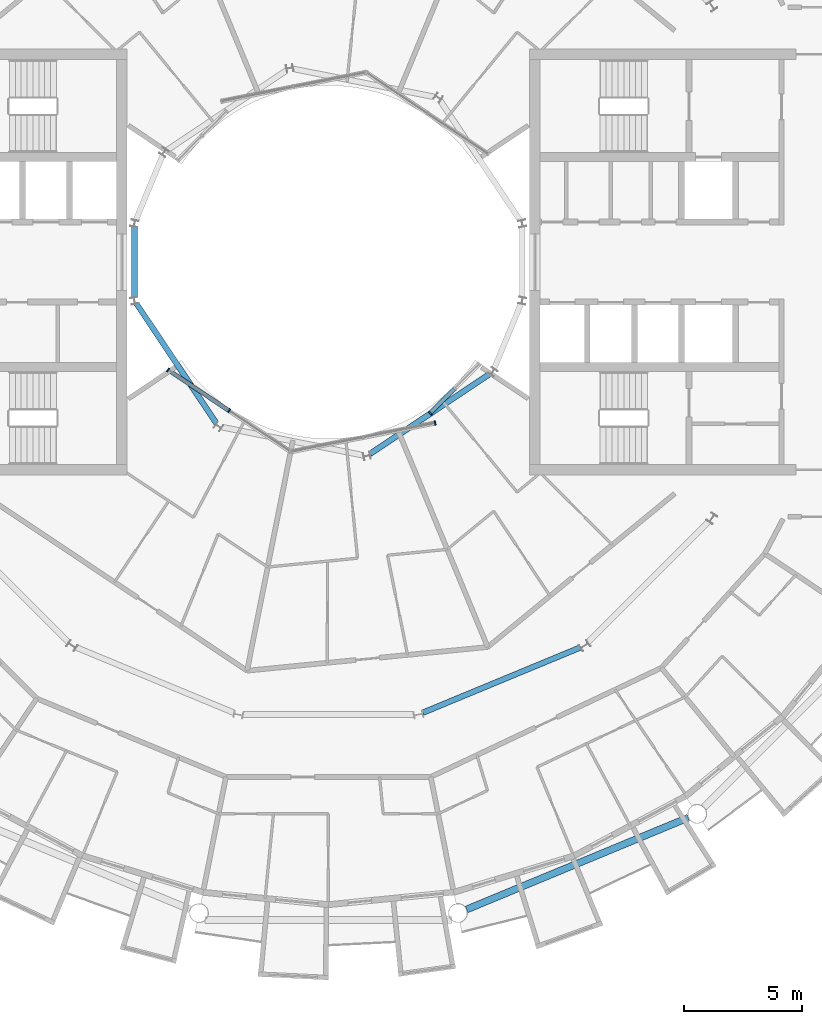
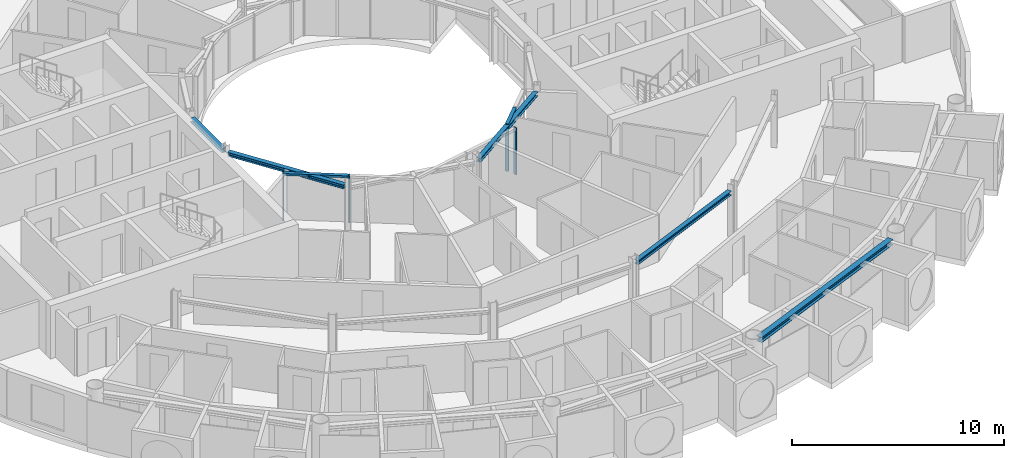
# One storey, part 7 of 29: 6 members, 5 beams, 3 elements without a shape of their own.
"""IFC4 building model written with IfcOpenShell, lengths in metres."""

from ifc_helpers import new_model, si_unit, direction, frame, origin, origin_2d, place, context, subcontext, project, spatial, rectangle, i_section, extrude, material, layer, layer_set, material_profile, profile_set, type_object, element, aggregate, save


model = new_model("IFC4")

# Units and contexts
model_context = context("Model", 3, precision=1e-05, world=origin(), true_north=direction((0.0, 1.0)))
body_context = subcontext(model_context, "Body", "Model", "MODEL_VIEW")
ifc_project = project(units=[si_unit("LENGTHUNIT", "METRE"), si_unit("AREAUNIT", "SQUARE_METRE"), si_unit("VOLUMEUNIT", "CUBIC_METRE"), si_unit("PLANEANGLEUNIT", "RADIAN"), si_unit("MASSUNIT", "GRAM", prefix="KILO")], contexts=[model_context])

# Site, building, storey
site_placement = place(None, origin())
site = spatial("IfcSite", under=ifc_project, at=site_placement, CompositionType="ELEMENT")
building_placement = place(site_placement, origin())
building = spatial("IfcBuilding", under=site, at=building_placement, Name="Maasbend Ring Residences", CompositionType="ELEMENT")
storey_placement = place(building_placement, frame((0.0, 0.0, 212.699951171875)))
storey = spatial("IfcBuildingStorey", under=building, at=storey_placement, Name="L61", CompositionType="ELEMENT", Elevation=212.699951171875)

# Curtain wall, members
ifc_material_1 = material(Name="Aluminium and clear glass", Category="aluminium")
ifc_layer = layer(ifc_material_1, 0.179931640625)
ifc_layer_set = layer_set([ifc_layer], Name="CW-W")
curtain_wall_type = type_object("IfcCurtainWallType", Name="CW-W", PredefinedType="NOTDEFINED", material=ifc_layer_set)
curtain_wall_1_placement = place(storey_placement, origin())
curtain_wall_1 = element("IfcCurtainWall", 1, at=curtain_wall_1_placement, inside=storey, type_object=curtain_wall_type, Name="Well curtain wall S1", PredefinedType="NOTDEFINED")
ifc_material_2 = material(Name="Aluminium 6063-T6", Category="aluminium")
ifc_material_profile_1 = material_profile(ifc_material_2, rectangle(XDim=0.179931640625, YDim=0.06005859375, at=origin_2d()), Name="AL 180x60")
ifc_profile_set_1 = profile_set([ifc_material_profile_1], Name="Aluminium 6063-T6")
member_type_1 = type_object("IfcMemberType", Name="CWM-W", PredefinedType="MULLION", material=ifc_profile_set_1)
member_1_placement = place(storey_placement, frame((-6.805908203125, -4.580810546875, 0.0), z_axis=(0.0, 0.0, 1.0), x_axis=(0.55557023302, 0.831469612303, 0.0)))
member_1 = element("IfcMember", 2, at=member_1_placement, type_object=member_type_1, Name="Mullion well face", PredefinedType="MULLION", context=body_context, shape_type="SweptSolid", body=[
    extrude(rectangle(XDim=0.179931640625, YDim=0.06005859375, at=origin_2d()), origin(), (0.0, 0.0, 1.0), 2.699951171875),
])
member_2_placement = place(storey_placement, frame((-4.216796875, -6.310791015625, 0.0), z_axis=(0.0, 0.0, 1.0), x_axis=(0.55557023302, 0.831469612303, 0.0)))
member_2 = element("IfcMember", 3, at=member_2_placement, type_object=member_type_1, Name="Mullion well face", PredefinedType="MULLION", context=body_context, shape_type="SweptSolid", body=[
    extrude(rectangle(XDim=0.179931640625, YDim=0.06005859375, at=origin_2d()), origin(), (0.0, 0.0, 1.0), 2.699951171875),
])

# Curtain wall, member
curtain_wall_2_placement = place(storey_placement, origin())
curtain_wall_2 = element("IfcCurtainWall", 4, at=curtain_wall_2_placement, inside=storey, type_object=curtain_wall_type, Name="Well curtain wall S2", PredefinedType="NOTDEFINED")
member_3_placement = place(storey_placement, frame((4.53466796875, -6.836669921875, 0.0), z_axis=(0.0, 0.0, 1.0), x_axis=(-0.195090322016, 0.980785280403, 0.0)))
member_3 = element("IfcMember", 5, at=member_3_placement, type_object=member_type_1, Name="Mullion well face", PredefinedType="MULLION", context=body_context, shape_type="SweptSolid", body=[
    extrude(rectangle(XDim=0.179931640625, YDim=0.06005859375, at=origin_2d()), origin(), (0.0, 0.0, 1.0), 2.699951171875),
])
aggregate(curtain_wall_2, [member_3])

curtain_wall_3_placement = place(storey_placement, origin())
curtain_wall_3 = element("IfcCurtainWall", 6, at=curtain_wall_3_placement, inside=storey, type_object=curtain_wall_type, Name="Well curtain wall S3", PredefinedType="NOTDEFINED")
member_4_placement = place(storey_placement, frame((4.320556640625, -6.413330078125, 0.0), z_axis=(0.0, 0.0, 1.0), x_axis=(-0.707106781187, 0.707106781187, 0.0)))
member_4 = element("IfcMember", 7, at=member_4_placement, type_object=member_type_1, Name="Mullion well face", PredefinedType="MULLION", context=body_context, shape_type="SweptSolid", body=[
    extrude(rectangle(XDim=0.179931640625, YDim=0.06005859375, at=origin_2d()), origin(), (0.0, 0.0, 1.0), 2.699951171875),
])

# Member
ifc_material_3 = material(Name="Aluminium 6063-T6", Category="aluminium")
ifc_material_profile_2 = material_profile(ifc_material_3, rectangle(XDim=0.179931640625, YDim=0.1201171875, at=origin_2d()), Name="AL 180x120")
ifc_profile_set_2 = profile_set([ifc_material_profile_2], Name="Aluminium 6063-T6")
member_type_2 = type_object("IfcMemberType", Name="CWT-W", PredefinedType="USERDEFINED", material=ifc_profile_set_2)
member_5_placement = place(storey_placement, frame((-6.781005859375, -4.59765625, 2.64013671875), z_axis=(0.831496422459, -0.555530106689, 0.0), x_axis=(0.555530106689, 0.831496422459, 0.0)))
member_5 = element("IfcMember", 8, at=member_5_placement, type_object=member_type_2, Name="Transom well face", ObjectType="TRANSOM", PredefinedType="USERDEFINED", context=body_context, shape_type="SweptSolid", body=[
    extrude(rectangle(XDim=0.179931640625, YDim=0.1201171875, at=origin_2d()), origin(), (0.0, 0.0, 1.0), 3.053955078125),
])

aggregate(curtain_wall_1, [member_1, member_2, member_5])

member_6_placement = place(storey_placement, frame((4.341796875, -6.39208984375, 2.64013671875), z_axis=(0.707106781187, 0.707106781187, 0.0), x_axis=(-0.707106781187, 0.707106781187, 0.0)))
member_6 = element("IfcMember", 9, at=member_6_placement, type_object=member_type_2, Name="Transom well face", ObjectType="TRANSOM", PredefinedType="USERDEFINED", context=body_context, shape_type="SweptSolid", body=[
    extrude(rectangle(XDim=0.179931640625, YDim=0.1201171875, at=origin_2d()), origin(), (0.0, 0.0, 1.0), 1.419677734375),
])

aggregate(curtain_wall_3, [member_4, member_6])

# Beams
ifc_material_4 = material(Name="Steel S355J2", Category="steel")
ifc_material_profile_3 = material_profile(ifc_material_4, i_section(OverallWidth=0.239990234375, OverallDepth=0.22998046875, WebThickness=0.007568359375, FlangeThickness=0.011962890625, FilletRadius=0.02099609375, at=origin_2d()), Name="HEA 240")
ifc_profile_set_3 = profile_set([ifc_material_profile_3], Name="Steel S355J2")
beam_type_1 = type_object("IfcBeamType", Name="Corridor ring beam HEA 240", PredefinedType="BEAM", material=ifc_profile_set_3)
beam_1_placement = place(storey_placement, frame((4.01220703125, -19.1455078125, 2.5849609375), z_axis=(0.923865162022, 0.382718123952, 0.0), x_axis=(-0.382718123952, 0.923865162022, 0.0)))
element("IfcBeam", 10, at=beam_1_placement, inside=storey, type_object=beam_type_1, Name="Corridor ring beam", PredefinedType="BEAM", context=body_context, shape_type="SweptSolid", body=[
    extrude(i_section(OverallWidth=0.239990234375, OverallDepth=0.22998046875, WebThickness=0.007568359375, FlangeThickness=0.011962890625, FilletRadius=0.02099609375, at=origin_2d()), origin(), (0.0, 0.0, 1.0), 7.23974609375),
])
ifc_material_5 = material(Name="Steel S355J2", Category="steel")
ifc_material_profile_4 = material_profile(ifc_material_5, i_section(OverallWidth=0.300048828125, OverallDepth=0.300048828125, WebThickness=0.010986328125, FlangeThickness=0.01904296875, FilletRadius=0.027099609375, at=origin_2d()), Name="HEB 300")
ifc_profile_set_4 = profile_set([ifc_material_profile_4], Name="Steel S355J2")
beam_type_2 = type_object("IfcBeamType", Name="Spandrel ring beam HEB 300", PredefinedType="SPANDREL", material=ifc_profile_set_4)
beam_2_placement = place(storey_placement, frame((5.877197265625, -27.50244140625, 2.550048828125), z_axis=(0.923883676188, 0.382673428492, 0.0), x_axis=(-0.382673428492, 0.923883676188, 0.0)))
element("IfcBeam", 11, at=beam_2_placement, inside=storey, type_object=beam_type_2, Name="Spandrel ring beam", PredefinedType="SPANDREL", context=body_context, shape_type="SweptSolid", body=[
    extrude(i_section(OverallWidth=0.300048828125, OverallDepth=0.300048828125, WebThickness=0.010986328125, FlangeThickness=0.01904296875, FilletRadius=0.027099609375, at=origin_2d()), origin(), (0.0, 0.0, 1.0), 10.18994140625),
])
ifc_material_6 = material(Name="Steel S355J2", Category="steel")
ifc_material_profile_5 = material_profile(ifc_material_6, i_section(OverallWidth=0.239990234375, OverallDepth=0.22998046875, WebThickness=0.007568359375, FlangeThickness=0.011962890625, FilletRadius=0.02099609375, at=origin_2d()), Name="HEA 240")
ifc_profile_set_5 = profile_set([ifc_material_profile_5], Name="Steel S355J2")
beam_type_3 = type_object("IfcBeamType", Name="Well edge beam HEA 240", PredefinedType="BEAM", material=ifc_profile_set_5)
beam_3_placement = place(storey_placement, frame((-8.238525390625, 1.490966796875, 2.5849609375), z_axis=(0.0, -1.0, 0.0), x_axis=(1.0, 0.0, 0.0)))
element("IfcBeam", 12, at=beam_3_placement, inside=storey, type_object=beam_type_3, Name="Well edge beam", PredefinedType="BEAM", context=body_context, shape_type="SweptSolid", body=[
    extrude(i_section(OverallWidth=0.239990234375, OverallDepth=0.22998046875, WebThickness=0.007568359375, FlangeThickness=0.011962890625, FilletRadius=0.02099609375, at=origin_2d()), origin(), (0.0, 0.0, 1.0), 2.98193359375),
])
for number, where, z_axis, x_axis, name in (
    (13, (-8.1513671875, -1.769287109375, 2.5849609375), (0.555584356119, -0.831460175376, 0.0), (0.831460175376, 0.555584356119, 0.0), "Well edge beam"),
    (14, (1.769287109375, -8.1513671875, 2.5849609375), (0.831460175376, 0.555584356119, 0.0), (-0.555584356119, 0.831460175376, 0.0), "Well edge beam"),
):
    element("IfcBeam", number, at=place(storey_placement, frame(where, z_axis=z_axis, x_axis=x_axis)), inside=storey, type_object=beam_type_3, Name=name, PredefinedType="BEAM", context=body_context, shape_type="SweptSolid", body=[
        extrude(i_section(OverallWidth=0.239990234375, OverallDepth=0.22998046875, WebThickness=0.007568359375, FlangeThickness=0.011962890625, FilletRadius=0.02099609375, at=origin_2d()), origin(), (0.0, 0.0, 1.0), 6.115234375),
    ])

save(model, "model.ifc")
